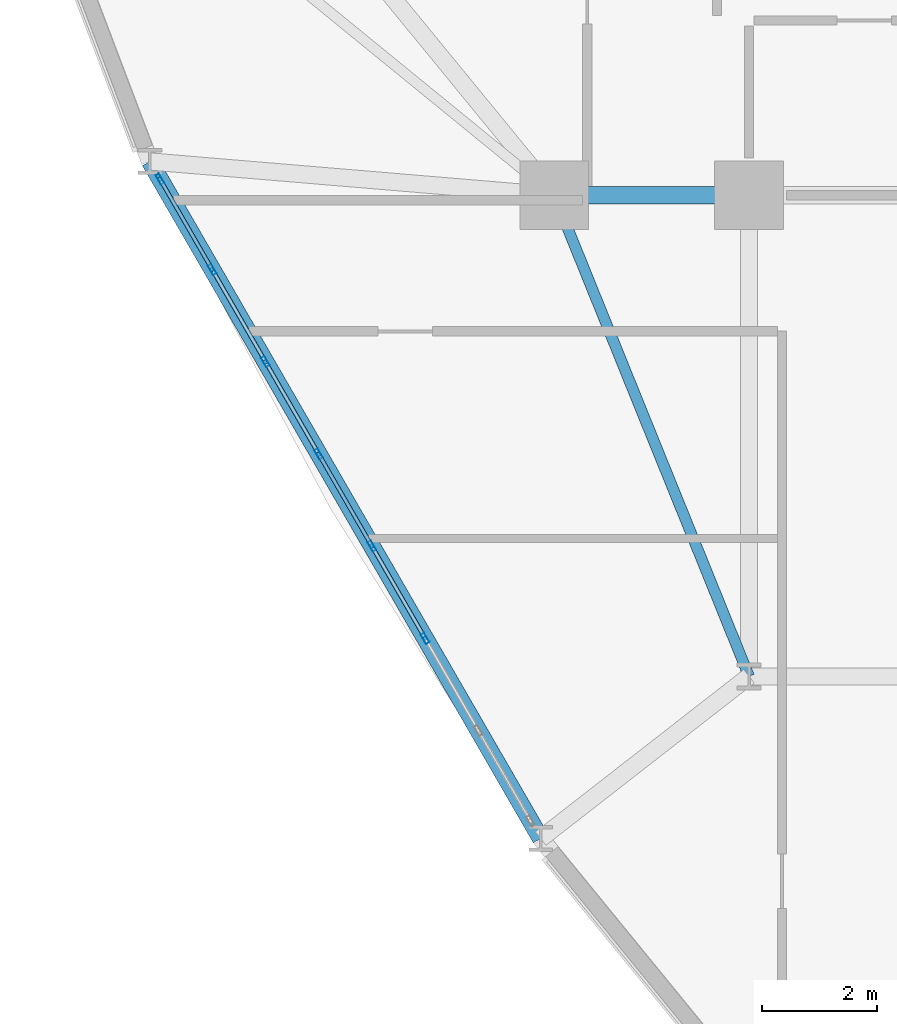
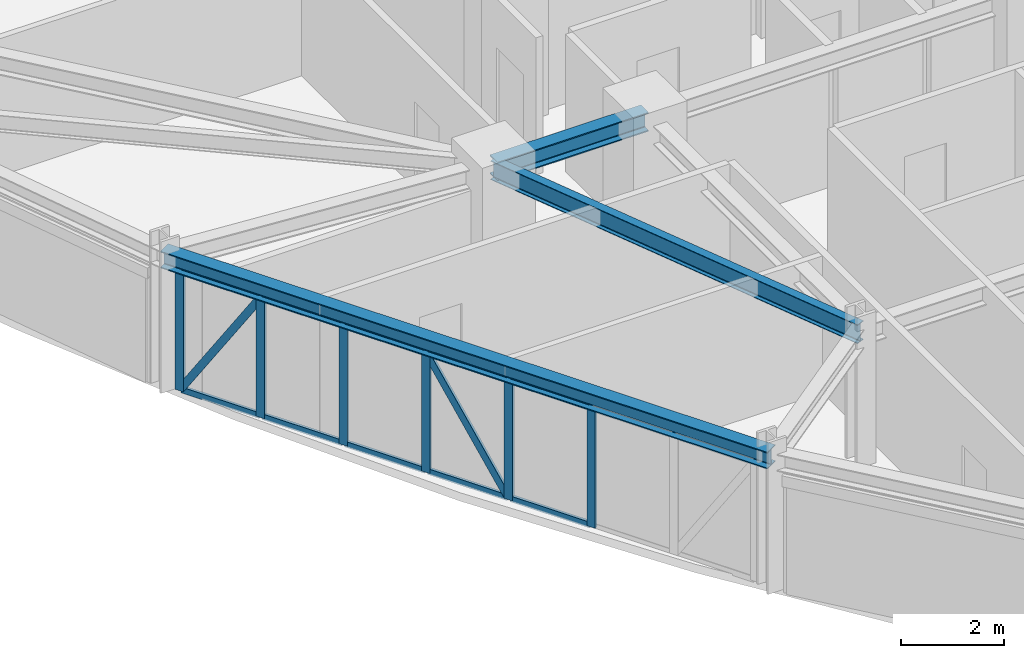
# One storey, part 4 of 17: 18 members, 3 beams, 1 element without a shape of its own.
"""IFC4 building model written with IfcOpenShell, lengths in metres."""

from ifc_helpers import new_model, si_unit, derived_unit, direction, frame, origin, origin_2d, place, context, subcontext, project, spatial, hollow_rectangle, i_section, extrude, source, transform, mapped, material, layer, layer_set, material_profile, profile_set, type_object, element, aggregate, save


model = new_model("IFC4")

# Units and contexts
model_context = context("Model", 3, precision=1e-05, world=origin(), true_north=direction((0.0, 1.0)))
body_context = subcontext(model_context, "Body", "Model", "MODEL_VIEW")
ifc_project = project(units=[si_unit("LENGTHUNIT", "METRE"), si_unit("AREAUNIT", "SQUARE_METRE"), si_unit("VOLUMEUNIT", "CUBIC_METRE"), si_unit("PLANEANGLEUNIT", "RADIAN"), si_unit("MASSUNIT", "GRAM", prefix="KILO"), derived_unit("THERMALTRANSMITTANCEUNIT", [(si_unit("POWERUNIT", "WATT"), 1), (si_unit("LENGTHUNIT", "METRE"), -2), (si_unit("THERMODYNAMICTEMPERATUREUNIT", "KELVIN"), -1)])], contexts=[model_context])

# Site, building, storey
site_placement = place(None, origin())
site = spatial("IfcSite", under=ifc_project, at=site_placement, CompositionType="ELEMENT")
building_placement = place(site_placement, origin())
building = spatial("IfcBuilding", under=site, at=building_placement, Name="Korsvarv Bourse and Concert Hall", CompositionType="ELEMENT")
storey_placement = place(building_placement, frame((0.0, 0.0, 127.800048828125)))
storey = spatial("IfcBuildingStorey", under=building, at=storey_placement, Name="L32", CompositionType="ELEMENT", Elevation=127.800048828125)

# Beams
ifc_material_1 = material(Name="Steel S355", Category="steel")
ifc_material_profile_1 = material_profile(ifc_material_1, i_section(OverallWidth=0.18994140625, OverallDepth=0.449951171875, WebThickness=0.009521484375, FlangeThickness=0.0146484375, FilletRadius=0.02099609375, at=origin_2d()), Name="IPE 450")
ifc_profile_set_1 = profile_set([ifc_material_profile_1], Name="Steel S355")
beam_type_1 = type_object("IfcBeamType", Name="BM-IPE450", PredefinedType="JOIST", material=ifc_profile_set_1)
shared_shape_1 = source(origin(), body_context, "Body", "SweptSolid", [
    extrude(i_section(OverallWidth=0.18994140625, OverallDepth=0.449951171875, WebThickness=0.009521484375, FlangeThickness=0.0146484375, FilletRadius=0.02099609375, at=origin_2d()), origin(), (0.0, 0.0, 1.0), 9.06201171875),
])
beam_1_placement = place(storey_placement, frame((24.199951171875, 32.39990234375, 3.034912109375), z_axis=(0.375210394783, -0.926939674222, 0.0), x_axis=(0.926939674222, 0.375210394783, 0.0)))
element("IfcBeam", 1, at=beam_1_placement, inside=storey, type_object=beam_type_1, Name="L32 beam J-04", PredefinedType="JOIST", context=body_context, shape_type="MappedRepresentation", body=[
    mapped(shared_shape_1, transform((0.0, 0.0, 0.0), scale=1.0)),
])
ifc_material_profile_2 = material_profile(ifc_material_1, i_section(OverallWidth=0.300048828125, OverallDepth=0.449951171875, WebThickness=0.013916015625, FlangeThickness=0.02587890625, FilletRadius=0.02099609375, at=origin_2d()), Name="HEB 450")
ifc_profile_set_2 = profile_set([ifc_material_profile_2], Name="Steel S355")
beam_type_2 = type_object("IfcBeamType", Name="BM-HEB450", PredefinedType="SPANDREL", material=ifc_profile_set_2)
shared_shape_2 = source(origin(), body_context, "Body", "SweptSolid", [
    extrude(i_section(OverallWidth=0.300048828125, OverallDepth=0.449951171875, WebThickness=0.013916015625, FlangeThickness=0.02587890625, FilletRadius=0.02099609375, at=origin_2d()), origin(), (0.0, 0.0, 1.0), 3.400146484375),
])
beam_2_placement = place(storey_placement, frame((24.199951171875, 32.39990234375, 3.034912109375), z_axis=(1.0, 0.0, 0.0), x_axis=(0.0, 1.0, 0.0)))
element("IfcBeam", 2, at=beam_2_placement, inside=storey, type_object=beam_type_2, Name="L32 beam B-08", PredefinedType="SPANDREL", context=body_context, shape_type="MappedRepresentation", body=[
    mapped(shared_shape_2, transform((0.0, 0.0, 0.0), scale=1.0)),
])
ifc_material_profile_3 = material_profile(ifc_material_1, i_section(OverallWidth=0.300048828125, OverallDepth=0.39990234375, WebThickness=0.013427734375, FlangeThickness=0.02392578125, FilletRadius=0.02099609375, at=origin_2d()), Name="HEB 400")
ifc_profile_set_3 = profile_set([ifc_material_profile_3], Name="Steel S355")
beam_type_3 = type_object("IfcBeamType", Name="BM-HEB400", PredefinedType="SPANDREL", material=ifc_profile_set_3)
shared_shape_3 = source(origin(), body_context, "Body", "SweptSolid", [
    extrude(i_section(OverallWidth=0.300048828125, OverallDepth=0.39990234375, WebThickness=0.013427734375, FlangeThickness=0.02392578125, FilletRadius=0.02099609375, at=origin_2d()), origin(), (0.0, 0.0, 1.0), 13.6533203125),
])
beam_3_placement = place(storey_placement, frame((17.1357421875, 32.991455078125, 3.06005859375), z_axis=(0.499996939111, -0.866027170982, 0.0), x_axis=(0.866027170982, 0.499996939111, 0.0)))
element("IfcBeam", 3, at=beam_3_placement, inside=storey, type_object=beam_type_3, Name="L32 beam B-09", PredefinedType="SPANDREL", context=body_context, shape_type="MappedRepresentation", body=[
    mapped(shared_shape_3, transform((0.0, 0.0, 0.0), scale=1.0)),
])

# Curtain wall, members
ifc_material_2 = material(Name="Anodised aluminium and triple low-E glazing", Category="glass")
ifc_layer = layer(ifc_material_2, 0.2099609375)
ifc_layer_set = layer_set([ifc_layer], Name="Anodised aluminium and triple low-E glazing")
curtain_wall_type = type_object("IfcCurtainWallType", Name="CW-SYS-2", PredefinedType="NOTDEFINED", material=ifc_layer_set)
curtain_wall_placement = place(storey_placement, origin())
curtain_wall = element("IfcCurtainWall", 4, at=curtain_wall_placement, inside=storey, type_object=curtain_wall_type, Name="L32 CW2 curtain wall CW-L32-F07", PredefinedType="NOTDEFINED")
ifc_material_3 = material(Name="Extruded aluminium EN AW-6063 T66", Category="aluminium")
ifc_material_profile_4 = material_profile(ifc_material_3, hollow_rectangle(XDim=0.06494140625, YDim=0.139892578125, WallThickness=0.00390625, at=origin_2d()), Name="ALU-T 65x140")
ifc_profile_set_4 = profile_set([ifc_material_profile_4], Name="Extruded aluminium EN AW-6063 T66")
member_type_1 = type_object("IfcMemberType", Name="CWT-140", PredefinedType="USERDEFINED", material=ifc_profile_set_4)
shared_shape_4 = source(origin(), body_context, "Body", "SweptSolid", [
    extrude(hollow_rectangle(XDim=0.06494140625, YDim=0.139892578125, WallThickness=0.00390625, at=origin_2d()), origin(), (0.0, 0.0, 1.0), 1.75390625),
])
member_1_placement = place(storey_placement, frame((17.330810546875, 32.6533203125, 0.032470703125), z_axis=(0.500031736301, -0.866007080047, 0.0), x_axis=(0.866007080047, 0.500031736301, 0.0)))
member_1 = element("IfcMember", 5, at=member_1_placement, type_object=member_type_1, Name="CW2 transom 1.1", ObjectType="TRANSOM", PredefinedType="USERDEFINED", context=body_context, shape_type="MappedRepresentation", body=[
    mapped(shared_shape_4, transform((0.0, 0.0, 0.0), scale=1.0)),
])
member_2_placement = place(storey_placement, frame((17.330810546875, 32.6533203125, 2.827392578125), z_axis=(0.500031736301, -0.866007080047, 0.0), x_axis=(0.866007080047, 0.500031736301, 0.0)))
member_2 = element("IfcMember", 6, at=member_2_placement, type_object=member_type_1, Name="CW2 transom 1.2", ObjectType="TRANSOM", PredefinedType="USERDEFINED", context=body_context, shape_type="MappedRepresentation", body=[
    mapped(shared_shape_4, transform((0.0, 0.0, 0.0), scale=1.0)),
])
shared_shape_5 = source(origin(), body_context, "Body", "SweptSolid", [
    extrude(hollow_rectangle(XDim=0.06494140625, YDim=0.139892578125, WallThickness=0.00390625, at=origin_2d()), origin(), (0.0, 0.0, 1.0), 1.788818359375),
])
member_3_placement = place(storey_placement, frame((18.242919921875, 31.07373046875, 0.032470703125), z_axis=(0.500072935515, -0.86598329035, 0.0), x_axis=(0.86598329035, 0.500072935515, 0.0)))
member_3 = element("IfcMember", 7, at=member_3_placement, type_object=member_type_1, Name="CW2 transom 2.1", ObjectType="TRANSOM", PredefinedType="USERDEFINED", context=body_context, shape_type="MappedRepresentation", body=[
    mapped(shared_shape_5, transform((0.0, 0.0, 0.0), scale=1.0)),
])
member_4_placement = place(storey_placement, frame((18.242919921875, 31.07373046875, 2.827392578125), z_axis=(0.500072935515, -0.86598329035, 0.0), x_axis=(0.86598329035, 0.500072935515, 0.0)))
member_4 = element("IfcMember", 8, at=member_4_placement, type_object=member_type_1, Name="CW2 transom 2.2", ObjectType="TRANSOM", PredefinedType="USERDEFINED", context=body_context, shape_type="MappedRepresentation", body=[
    mapped(shared_shape_5, transform((0.0, 0.0, 0.0), scale=1.0)),
])
shared_shape_6 = source(origin(), body_context, "Body", "SweptSolid", [
    extrude(hollow_rectangle(XDim=0.06494140625, YDim=0.139892578125, WallThickness=0.00390625, at=origin_2d()), origin(), (0.0, 0.0, 1.0), 1.7890625),
])
member_5_placement = place(storey_placement, frame((19.17236328125, 29.4638671875, 0.032470703125), z_axis=(0.500013836808, -0.866017414952, 0.0), x_axis=(0.866017414952, 0.500013836808, 0.0)))
member_5 = element("IfcMember", 9, at=member_5_placement, type_object=member_type_1, Name="CW2 transom 3.1", ObjectType="TRANSOM", PredefinedType="USERDEFINED", context=body_context, shape_type="MappedRepresentation", body=[
    mapped(shared_shape_6, transform((0.0, 0.0, 0.0), scale=1.0)),
])
member_6_placement = place(storey_placement, frame((19.17236328125, 29.4638671875, 2.827392578125), z_axis=(0.500013836808, -0.866017414952, 0.0), x_axis=(0.866017414952, 0.500013836808, 0.0)))
member_6 = element("IfcMember", 10, at=member_6_placement, type_object=member_type_1, Name="CW2 transom 3.2", ObjectType="TRANSOM", PredefinedType="USERDEFINED", context=body_context, shape_type="MappedRepresentation", body=[
    mapped(shared_shape_6, transform((0.0, 0.0, 0.0), scale=1.0)),
])
member_7_placement = place(storey_placement, frame((20.101806640625, 27.85400390625, 0.032470703125), z_axis=(0.500013836808, -0.866017414952, 0.0), x_axis=(0.866017414952, 0.500013836808, 0.0)))
member_7 = element("IfcMember", 11, at=member_7_placement, type_object=member_type_1, Name="CW2 transom 4.1", ObjectType="TRANSOM", PredefinedType="USERDEFINED", context=body_context, shape_type="MappedRepresentation", body=[
    mapped(shared_shape_6, transform((0.0, 0.0, 0.0), scale=1.0)),
])
member_8_placement = place(storey_placement, frame((20.101806640625, 27.85400390625, 2.827392578125), z_axis=(0.500013836808, -0.866017414952, 0.0), x_axis=(0.866017414952, 0.500013836808, 0.0)))
member_8 = element("IfcMember", 12, at=member_8_placement, type_object=member_type_1, Name="CW2 transom 4.2", ObjectType="TRANSOM", PredefinedType="USERDEFINED", context=body_context, shape_type="MappedRepresentation", body=[
    mapped(shared_shape_6, transform((0.0, 0.0, 0.0), scale=1.0)),
])
member_9_placement = place(storey_placement, frame((21.03125, 26.244140625, 0.032470703125), z_axis=(0.500013836808, -0.866017414952, 0.0), x_axis=(0.866017414952, 0.500013836808, 0.0)))
member_9 = element("IfcMember", 13, at=member_9_placement, type_object=member_type_1, Name="CW2 transom 5.1", ObjectType="TRANSOM", PredefinedType="USERDEFINED", context=body_context, shape_type="MappedRepresentation", body=[
    mapped(shared_shape_6, transform((0.0, 0.0, 0.0), scale=1.0)),
])
member_10_placement = place(storey_placement, frame((21.03125, 26.244140625, 2.827392578125), z_axis=(0.500013836808, -0.866017414952, 0.0), x_axis=(0.866017414952, 0.500013836808, 0.0)))
member_10 = element("IfcMember", 14, at=member_10_placement, type_object=member_type_1, Name="CW2 transom 5.2", ObjectType="TRANSOM", PredefinedType="USERDEFINED", context=body_context, shape_type="MappedRepresentation", body=[
    mapped(shared_shape_6, transform((0.0, 0.0, 0.0), scale=1.0)),
])
ifc_material_profile_5 = material_profile(ifc_material_3, hollow_rectangle(XDim=0.070068359375, YDim=0.18994140625, WallThickness=0.0048828125, at=origin_2d()), Name="ALU-M 70x190")
ifc_profile_set_5 = profile_set([ifc_material_profile_5], Name="Extruded aluminium EN AW-6063 T66")
member_type_2 = type_object("IfcMemberType", Name="CWM-190", PredefinedType="MULLION", material=ifc_profile_set_5)
shared_shape_7 = source(origin(), body_context, "Body", "SweptSolid", [
    extrude(hollow_rectangle(XDim=0.070068359375, YDim=0.18994140625, WallThickness=0.0048828125, at=origin_2d()), origin(), (0.0, 0.0, 1.0), 2.85986328125),
])
member_11_placement = place(storey_placement, frame((17.3134765625, 32.68359375, 0.0), z_axis=(0.0, 0.0, 1.0), x_axis=(0.866021265954, 0.500007166863, 0.0)))
member_11 = element("IfcMember", 15, at=member_11_placement, type_object=member_type_2, Name="CW2 mullion 1", PredefinedType="MULLION", context=body_context, shape_type="MappedRepresentation", body=[
    mapped(shared_shape_7, transform((0.0, 0.0, 0.0), scale=1.0)),
])
member_12_placement = place(storey_placement, frame((18.225341796875, 31.10400390625, 0.0), z_axis=(0.0, 0.0, 1.0), x_axis=(0.866021265954, 0.500007166863, 0.0)))
member_12 = element("IfcMember", 16, at=member_12_placement, type_object=member_type_2, Name="CW2 mullion 2", PredefinedType="MULLION", context=body_context, shape_type="MappedRepresentation", body=[
    mapped(shared_shape_7, transform((0.0, 0.0, 0.0), scale=1.0)),
])
member_13_placement = place(storey_placement, frame((19.15478515625, 29.494140625, 0.0), z_axis=(0.0, 0.0, 1.0), x_axis=(0.866021265954, 0.500007166863, 0.0)))
member_13 = element("IfcMember", 17, at=member_13_placement, type_object=member_type_2, Name="CW2 mullion 3", PredefinedType="MULLION", context=body_context, shape_type="MappedRepresentation", body=[
    mapped(shared_shape_7, transform((0.0, 0.0, 0.0), scale=1.0)),
])
member_14_placement = place(storey_placement, frame((20.08447265625, 27.88427734375, 0.0), z_axis=(0.0, 0.0, 1.0), x_axis=(0.866021265954, 0.500007166863, 0.0)))
member_14 = element("IfcMember", 18, at=member_14_placement, type_object=member_type_2, Name="CW2 mullion 4", PredefinedType="MULLION", context=body_context, shape_type="MappedRepresentation", body=[
    mapped(shared_shape_7, transform((0.0, 0.0, 0.0), scale=1.0)),
])
member_15_placement = place(storey_placement, frame((21.013916015625, 26.2744140625, 0.0), z_axis=(0.0, 0.0, 1.0), x_axis=(0.866021265954, 0.500007166863, 0.0)))
member_15 = element("IfcMember", 19, at=member_15_placement, type_object=member_type_2, Name="CW2 mullion 5", PredefinedType="MULLION", context=body_context, shape_type="MappedRepresentation", body=[
    mapped(shared_shape_7, transform((0.0, 0.0, 0.0), scale=1.0)),
])
member_16_placement = place(storey_placement, frame((21.943359375, 24.66455078125, 0.0), z_axis=(0.0, 0.0, 1.0), x_axis=(0.866021265954, 0.500007166863, 0.0)))
member_16 = element("IfcMember", 20, at=member_16_placement, type_object=member_type_2, Name="CW2 mullion 6", PredefinedType="MULLION", context=body_context, shape_type="MappedRepresentation", body=[
    mapped(shared_shape_7, transform((0.0, 0.0, 0.0), scale=1.0)),
])
ifc_material_profile_6 = material_profile(ifc_material_3, hollow_rectangle(XDim=0.06494140625, YDim=0.1650390625, WallThickness=0.0048828125, at=origin_2d()), Name="ALU-M 65x165")
ifc_profile_set_6 = profile_set([ifc_material_profile_6], Name="Extruded aluminium EN AW-6063 T66")
member_type_3 = type_object("IfcMemberType", Name="CWM-165", PredefinedType="MULLION", material=ifc_profile_set_6)
shared_shape_8 = source(origin(), body_context, "Body", "SweptSolid", [
    extrude(hollow_rectangle(XDim=0.06494140625, YDim=0.1650390625, WallThickness=0.0048828125, at=origin_2d()), origin(), (0.0, 0.0, 1.0), 3.244873046875),
])
member_17_placement = place(storey_placement, frame((17.330810546875, 32.6533203125, 0.06494140625), z_axis=(0.270265911985, -0.46807467663, 0.841345609079), x_axis=(0.866007080047, 0.500031736301, 0.0)))
member_17 = element("IfcMember", 21, at=member_17_placement, type_object=member_type_3, Name="CW2 diagonal mullion 1", PredefinedType="MULLION", context=body_context, shape_type="MappedRepresentation", body=[
    mapped(shared_shape_8, transform((0.0, 0.0, 0.0), scale=1.0)),
])
shared_shape_9 = source(origin(), body_context, "Body", "SweptSolid", [
    extrude(hollow_rectangle(XDim=0.06494140625, YDim=0.1650390625, WallThickness=0.0048828125, at=origin_2d()), origin(), (0.0, 0.0, 1.0), 3.263916015625),
])
member_18_placement = place(storey_placement, frame((20.996337890625, 26.3046875, 0.06494140625), z_axis=(-0.274064130188, 0.474675483126, 0.836404231376), x_axis=(-0.866017414952, -0.500013836808, 0.0)))
member_18 = element("IfcMember", 22, at=member_18_placement, type_object=member_type_3, Name="CW2 diagonal mullion 4", PredefinedType="MULLION", context=body_context, shape_type="MappedRepresentation", body=[
    mapped(shared_shape_9, transform((0.0, 0.0, 0.0), scale=1.0)),
])
aggregate(curtain_wall, [member_11, member_12, member_13, member_14, member_15, member_16, member_1, member_2, member_17, member_3, member_4, member_5, member_6, member_7, member_8, member_18, member_9, member_10])

save(model, "model.ifc")
